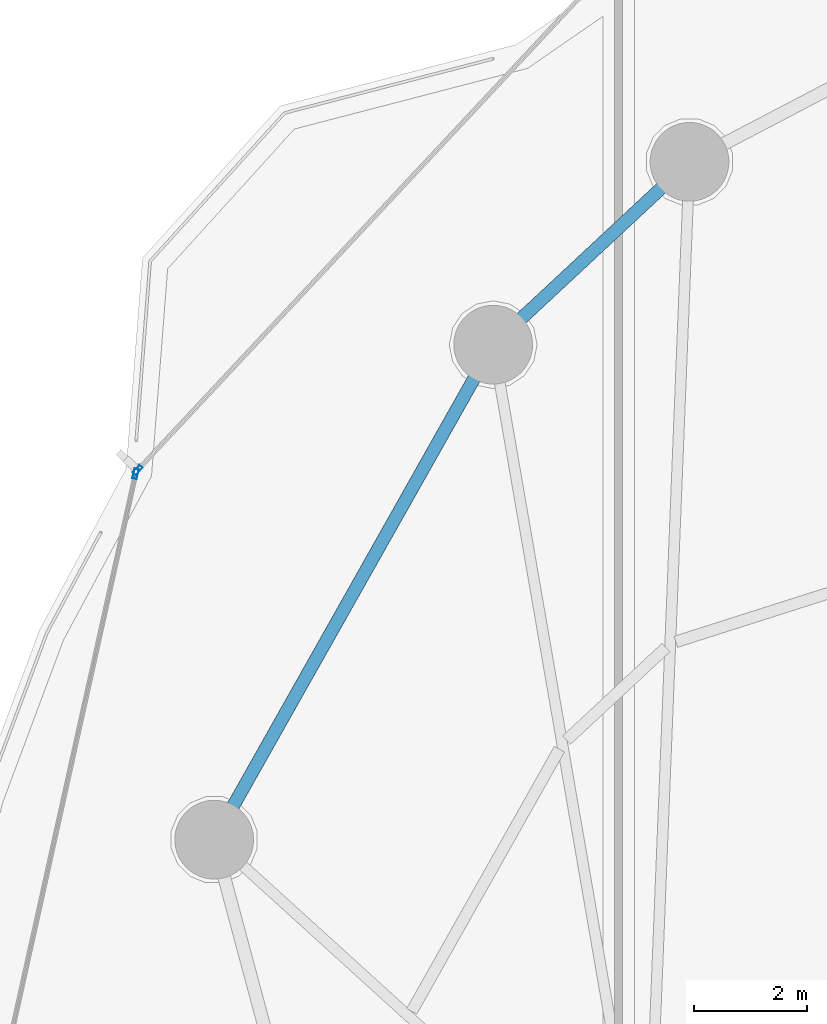
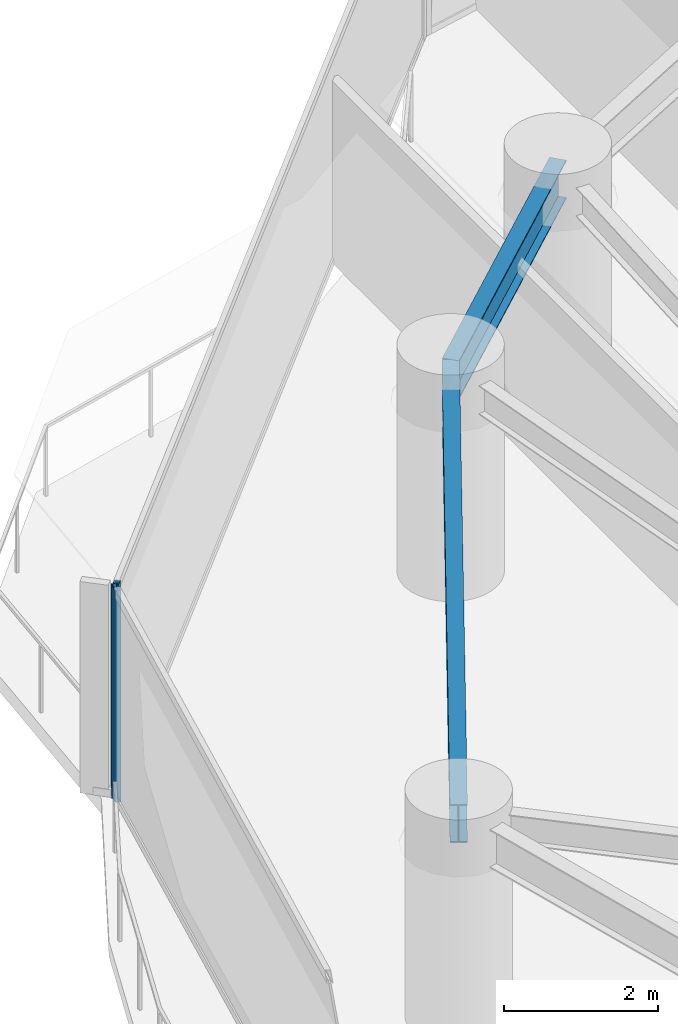
# One storey, part 15 of 33: 2 beams, 2 members, 2 elements without a shape of their own.
"""IFC4 building model written with IfcOpenShell, lengths in metres."""

from ifc_helpers import new_model, si_unit, direction, frame, origin, origin_2d, place, context, subcontext, project, spatial, hollow_rectangle, i_section, extrude, material, layer, layer_set, material_profile, profile_set, type_object, element, aggregate, save


model = new_model("IFC4")

# Units and contexts
model_context = context("Model", 3, precision=1e-05, world=origin(), true_north=direction((0.0, 1.0)))
body_context = subcontext(model_context, "Body", "Model", "MODEL_VIEW")
ifc_project = project(units=[si_unit("LENGTHUNIT", "METRE"), si_unit("AREAUNIT", "SQUARE_METRE"), si_unit("VOLUMEUNIT", "CUBIC_METRE"), si_unit("PLANEANGLEUNIT", "RADIAN"), si_unit("MASSUNIT", "GRAM", prefix="KILO")], contexts=[model_context])

# Site, building, storey
site_placement = place(None, origin())
site = spatial("IfcSite", under=ifc_project, at=site_placement, CompositionType="ELEMENT")
building_placement = place(site_placement, origin())
building = spatial("IfcBuilding", under=site, at=building_placement, Name="Kazevale Care Tower and Concert Hall", CompositionType="ELEMENT")
storey_placement = place(building_placement, frame((0.0, 0.0, 52.800048828125)))
storey = spatial("IfcBuildingStorey", under=building, at=storey_placement, Name="L13", CompositionType="ELEMENT", Elevation=52.800048828125)

# Curtain wall, member
ifc_material_1 = material(Name="Aluminium 6063-T6 and Low-E Glass", Category="aluminium")
ifc_layer_1 = layer(ifc_material_1, 0.179931640625)
ifc_layer_set_1 = layer_set([ifc_layer_1], Name="Aluminium 6063-T6 and Low-E Glass")
curtain_wall_type_1 = type_object("IfcCurtainWallType", Name="Convex Checkerboard Finned Curtain Wall CW-2", PredefinedType="NOTDEFINED", material=ifc_layer_set_1)
curtain_wall_1_placement = place(storey_placement, origin())
curtain_wall_1 = element("IfcCurtainWall", 1, at=curtain_wall_1_placement, inside=storey, type_object=curtain_wall_type_1, Name="cw:L13:f14", PredefinedType="NOTDEFINED")
ifc_material_2 = material(Name="Aluminium 6063-T6", Category="aluminium")
ifc_material_profile_1 = material_profile(ifc_material_2, hollow_rectangle(XDim=0.080078125, YDim=0.179931640625, WallThickness=0.0048828125, at=origin_2d()), Name="ALU80x180x5")
ifc_profile_set_1 = profile_set([ifc_material_profile_1], Name="Aluminium 6063-T6")
member_type_1 = type_object("IfcMemberType", Name="CW-2 Mullion ALU80x180x5", PredefinedType="MULLION", material=ifc_profile_set_1)
member_1_placement = place(storey_placement, frame((12.94921875, 49.9521484375, 0.0), z_axis=(0.0, 0.0, 1.0), x_axis=(-0.730363049987, 0.683059159381, 0.0)))
member_1 = element("IfcMember", 2, at=member_1_placement, type_object=member_type_1, Name="CW-2 mullion 1", PredefinedType="MULLION", context=body_context, shape_type="SweptSolid", body=[
    extrude(hollow_rectangle(XDim=0.080078125, YDim=0.179931640625, WallThickness=0.0048828125, at=origin_2d()), origin(), (0.0, 0.0, 1.0), 3.35986328125),
])
aggregate(curtain_wall_1, [member_1])

ifc_layer_2 = layer(ifc_material_1, 0.179931640625)
ifc_layer_set_2 = layer_set([ifc_layer_2], Name="Aluminium 6063-T6 and Low-E Glass")
curtain_wall_type_2 = type_object("IfcCurtainWallType", Name="Waist & Upper Residential Curtain Wall CW-4", PredefinedType="NOTDEFINED", material=ifc_layer_set_2)
curtain_wall_2_placement = place(storey_placement, origin())
curtain_wall_2 = element("IfcCurtainWall", 3, at=curtain_wall_2_placement, inside=storey, type_object=curtain_wall_type_2, Name="cw:L13:f13", PredefinedType="NOTDEFINED")
ifc_material_profile_2 = material_profile(ifc_material_2, hollow_rectangle(XDim=0.080078125, YDim=0.179931640625, WallThickness=0.0048828125, at=origin_2d()), Name="ALU80x180x5")
ifc_profile_set_2 = profile_set([ifc_material_profile_2], Name="Aluminium 6063-T6")
member_type_2 = type_object("IfcMemberType", Name="CW-4 Mullion ALU80x180x5", PredefinedType="MULLION", material=ifc_profile_set_2)
member_2_placement = place(storey_placement, frame((12.913330078125, 49.884033203125, 0.0), z_axis=(0.0, 0.0, 1.0), x_axis=(-0.976291328475, 0.216460716862, 0.0)))
member_2 = element("IfcMember", 4, at=member_2_placement, type_object=member_type_2, Name="CW-4 mullion 2", PredefinedType="MULLION", context=body_context, shape_type="SweptSolid", body=[
    extrude(hollow_rectangle(XDim=0.080078125, YDim=0.179931640625, WallThickness=0.0048828125, at=origin_2d()), origin(), (0.0, 0.0, 1.0), 3.35986328125),
])
aggregate(curtain_wall_2, [member_2])

# Beams
ifc_material_3 = material(Name="Steel ASTM A572 Gr 50", Category="steel")
ifc_material_profile_3 = material_profile(ifc_material_3, i_section(OverallWidth=0.22900390625, OverallDepth=0.612060546875, WebThickness=0.011962890625, FlangeThickness=0.01953125, at=origin_2d()), Name="W610x125")
ifc_profile_set_3 = profile_set([ifc_material_profile_3], Name="Steel ASTM A572 Gr 50")
beam_type = type_object("IfcBeamType", Name="Ring Spandrel Beam W610x125", PredefinedType="SPANDREL", material=ifc_profile_set_3)
beam_1_placement = place(storey_placement, frame((22.760009765625, 55.429931640625, 3.053955078125), z_axis=(-0.731820896228, -0.681497010884, 0.0), x_axis=(0.681497010884, -0.731820896228, 0.0)))
element("IfcBeam", 5, at=beam_1_placement, inside=storey, type_object=beam_type, Name="beam:L13:ring:07", PredefinedType="SPANDREL", context=body_context, shape_type="SweptSolid", body=[
    extrude(i_section(OverallWidth=0.22900390625, OverallDepth=0.612060546875, WebThickness=0.011962890625, FlangeThickness=0.01953125, at=origin_2d()), origin(), (0.0, 0.0, 1.0), 4.768798828125),
])
beam_2_placement = place(storey_placement, frame((19.27001953125, 52.179931640625, 3.053955078125), z_axis=(-0.491008061092, -0.87115502865, 0.0), x_axis=(0.87115502865, -0.491008061092, 0.0)))
element("IfcBeam", 6, at=beam_2_placement, inside=storey, type_object=beam_type, Name="beam:L13:ring:08", PredefinedType="SPANDREL", context=body_context, shape_type="SweptSolid", body=[
    extrude(i_section(OverallWidth=0.22900390625, OverallDepth=0.612060546875, WebThickness=0.011962890625, FlangeThickness=0.01953125, at=origin_2d()), origin(), (0.0, 0.0, 1.0), 10.1015625),
])

save(model, "model.ifc")
